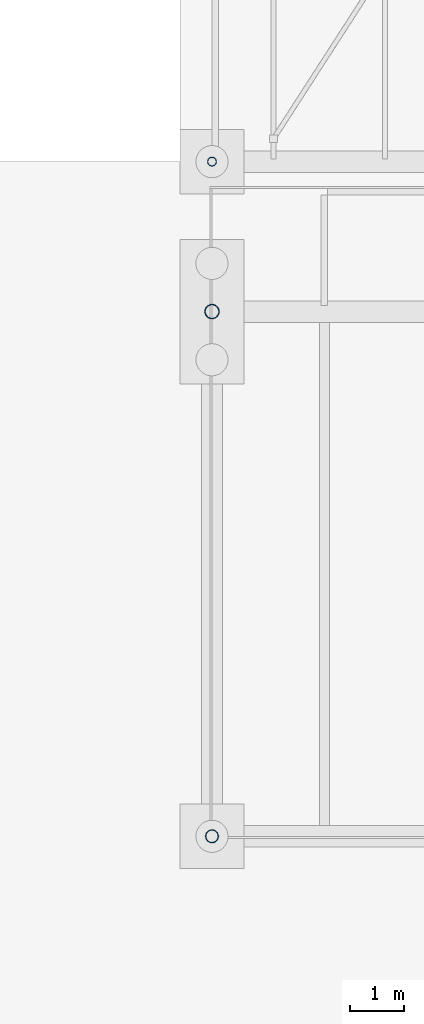
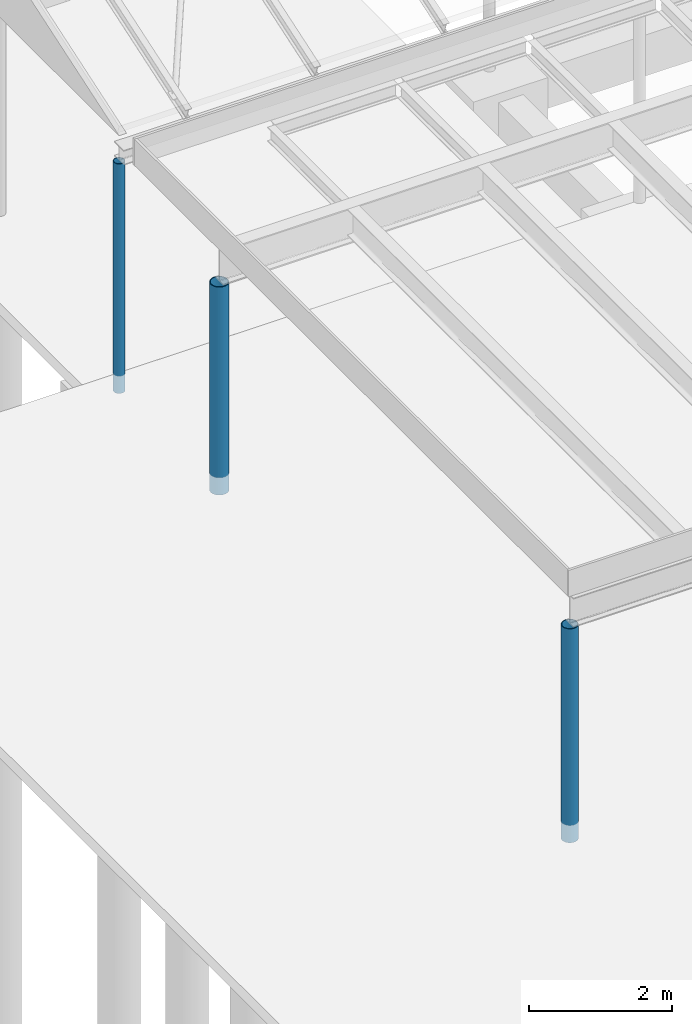
# One storey, part 6 of 138: 3 columns.
"""IFC4 building model written with IfcOpenShell, lengths in metres."""

from ifc_helpers import new_model, si_unit, direction, frame, origin, origin_2d, place, context, subcontext, project, spatial, hollow_circle, extrude, material, material_profile, profile_set, type_object, element, save


model = new_model("IFC4")

# Units and contexts
model_context = context("Model", 3, precision=1e-05, world=origin(), true_north=direction((0.0, 1.0)))
body_context = subcontext(model_context, "Body", "Model", "MODEL_VIEW")
ifc_project = project(units=[si_unit("LENGTHUNIT", "METRE"), si_unit("AREAUNIT", "SQUARE_METRE"), si_unit("VOLUMEUNIT", "CUBIC_METRE"), si_unit("PLANEANGLEUNIT", "RADIAN"), si_unit("MASSUNIT", "GRAM", prefix="KILO")], contexts=[model_context])

# Site, building, storey
site_placement = place(None, origin())
site = spatial("IfcSite", under=ifc_project, at=site_placement, CompositionType="ELEMENT")
building_placement = place(site_placement, origin())
building = spatial("IfcBuilding", under=site, at=building_placement, Name="Yavir Park General Hospital", CompositionType="ELEMENT")
storey_placement = place(building_placement, origin())
storey = spatial("IfcBuildingStorey", under=building, at=storey_placement, Name="L00", CompositionType="ELEMENT", Elevation=0.0)

# Columns
ifc_material_1 = material(Name="Steel S355", Category="steel")
ifc_material_profile_1 = material_profile(ifc_material_1, hollow_circle(Radius=0.084228515625, WallThickness=0.008056640625, at=origin_2d()), Name="CHS168.3x8")
ifc_profile_set_1 = profile_set([ifc_material_profile_1], Name="Steel S355")
column_type_1 = type_object("IfcColumnType", Name="CHS 168.3x8 roof post", PredefinedType="COLUMN", material=ifc_profile_set_1)
column_1_placement = place(storey_placement, frame((75.60009765625, -8.39990234375, -0.300048828125), z_axis=(0.0, 0.0, 1.0), x_axis=(1.0, 0.0, 0.0)))
element("IfcColumn", 1, at=column_1_placement, inside=storey, type_object=column_type_1, Name="C:PORCH:S0", PredefinedType="COLUMN", context=body_context, shape_type="SweptSolid", body=[
    extrude(hollow_circle(Radius=0.084228515625, WallThickness=0.008056640625, at=origin_2d()), origin(), (0.0, 0.0, 1.0), 3.9169921875),
])
ifc_material_2 = material(Name="Steel S355", Category="steel")
ifc_material_profile_2 = material_profile(ifc_material_2, hollow_circle(Radius=0.122314453125, WallThickness=0.010009765625, at=origin_2d()), Name="CHS244.5x10")
ifc_profile_set_2 = profile_set([ifc_material_profile_2], Name="Steel S355")
column_type_2 = type_object("IfcColumnType", Name="CHS 244.5x10 outer column", PredefinedType="COLUMN", material=ifc_profile_set_2)
column_2_placement = place(storey_placement, frame((75.60009765625, -21.0, -0.300048828125), z_axis=(0.0, 0.0, 1.0), x_axis=(1.0, 0.0, 0.0)))
element("IfcColumn", 2, at=column_2_placement, inside=storey, type_object=column_type_2, Name="C:DROP:10", PredefinedType="COLUMN", context=body_context, shape_type="SweptSolid", body=[
    extrude(hollow_circle(Radius=0.122314453125, WallThickness=0.010009765625, at=origin_2d()), origin(), (0.0, 0.0, 1.0), 3.650146484375),
])
ifc_material_3 = material(Name="Steel S355", Category="steel")
ifc_material_profile_3 = material_profile(ifc_material_3, hollow_circle(Radius=0.136474609375, WallThickness=0.012451171875, at=origin_2d()), Name="CHS273x12.5")
ifc_profile_set_3 = profile_set([ifc_material_profile_3], Name="Steel S355")
column_type_3 = type_object("IfcColumnType", Name="CHS 273x12.5 column", PredefinedType="COLUMN", material=ifc_profile_set_3)
column_3_placement = place(storey_placement, frame((75.60009765625, -11.199951171875, -0.300048828125), z_axis=(0.0, 0.0, 1.0), x_axis=(1.0, 0.0, 0.0)))
element("IfcColumn", 3, at=column_3_placement, inside=storey, type_object=column_type_3, Name="C:DROP:00", PredefinedType="COLUMN", context=body_context, shape_type="SweptSolid", body=[
    extrude(hollow_circle(Radius=0.136474609375, WallThickness=0.012451171875, at=origin_2d()), origin(), (0.0, 0.0, 1.0), 3.550048828125),
])

save(model, "model.ifc")
